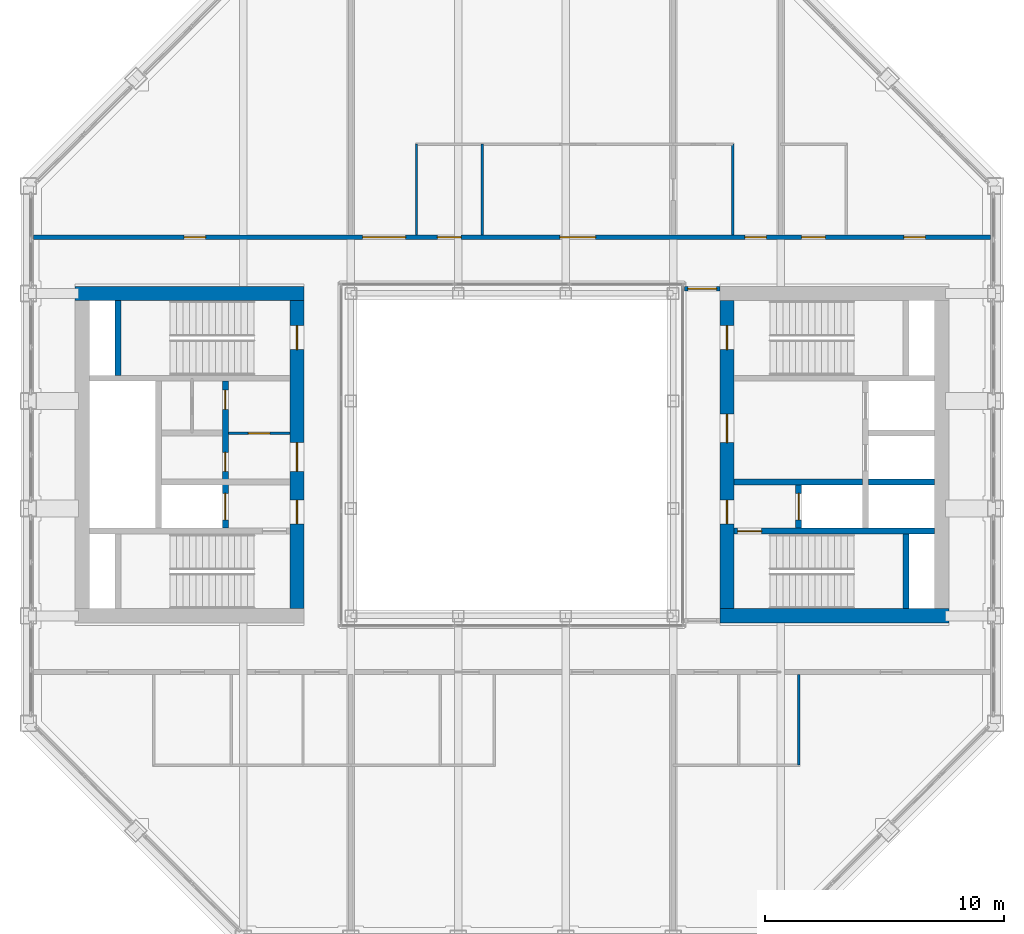
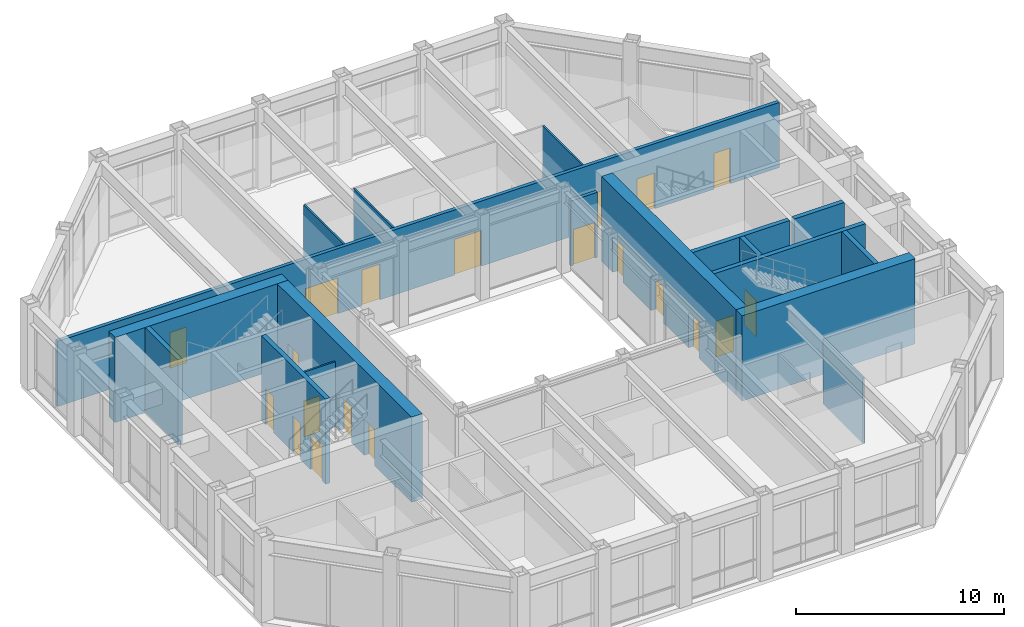
# One storey, part 12 of 15: 20 doors, 18 walls, 20 openings.
"""IFC4 building model written with IfcOpenShell, lengths in metres."""

from ifc_helpers import new_model, si_unit, direction, frame, frame_2d, origin, place, context, subcontext, project, spatial, rectangle, extrude, material, layer, layer_set, type_object, element, fill, save


model = new_model("IFC4")

# Units and contexts
model_context = context("Model", 3, precision=1e-05, world=origin(), true_north=direction((0.0, 1.0)))
body_context = subcontext(model_context, "Body", "Model", "MODEL_VIEW")
ifc_project = project(units=[si_unit("LENGTHUNIT", "METRE"), si_unit("AREAUNIT", "SQUARE_METRE"), si_unit("VOLUMEUNIT", "CUBIC_METRE"), si_unit("PLANEANGLEUNIT", "RADIAN"), si_unit("MASSUNIT", "GRAM", prefix="KILO")], contexts=[model_context])

# Site, building, storey
site_placement = place(None, origin())
site = spatial("IfcSite", under=ifc_project, at=site_placement, CompositionType="ELEMENT")
building_placement = place(site_placement, origin())
building = spatial("IfcBuilding", under=site, at=building_placement, Name="Msasa Ring Tower", CompositionType="ELEMENT")
storey_placement = place(building_placement, frame((0.0, 0.0, 257.050048828125)))
storey = spatial("IfcBuildingStorey", under=building, at=storey_placement, Name="L67", CompositionType="ELEMENT", Elevation=257.050048828125)

# Wall
ifc_material_1 = material(Name="Concrete C60/75", Category="concrete")
ifc_layer_1 = layer(ifc_material_1, 0.60009765625)
ifc_layer_set_1 = layer_set([ifc_layer_1], Name="CW3 CORE WALL 600")
wall_type_1 = type_object("IfcWallType", Name="CW3 CORE WALL 600", PredefinedType="SHEAR", material=ifc_layer_set_1)
wall_1_placement = place(storey_placement, frame((8.699951171875, -6.75, 0.0), z_axis=(0.0, 0.0, 1.0), x_axis=(1.0, 0.0, 0.0)))
element("IfcWall", 1, at=wall_1_placement, inside=storey, type_object=wall_type_1, Name="E core wall S L67", PredefinedType="SHEAR", context=body_context, shape_type="SweptSolid", body=[
    extrude(rectangle(XDim=9.60009765625, YDim=0.60009765625, at=frame_2d((4.800048828125, 0.0))), origin(), (0.0, 0.0, 1.0), 5.0),
])

# Wall, openings, doors
wall_2_placement = place(storey_placement, frame((9.0, -6.449951171875, 0.0), z_axis=(0.0, 0.0, 1.0), x_axis=(0.0, 1.0, 0.0)))
wall_2 = element("IfcWall", 2, at=wall_2_placement, inside=storey, type_object=wall_type_1, Name="E core wall W L67", PredefinedType="SHEAR", context=body_context, shape_type="SweptSolid", body=[
    extrude(rectangle(XDim=12.89990234375, YDim=0.60009765625, at=frame_2d((6.449951171875, 0.0))), origin(), (0.0, 0.0, 1.0), 5.0),
])
opening_1_placement = place(wall_2_placement, frame((3.550048828125, 0.0, 0.0)))
opening_1 = element("IfcOpeningElement", 3, at=opening_1_placement, cuts=wall_2, Name="Opening L67-021", PredefinedType="OPENING", context=body_context, shape_type="SweptSolid", body=[
    extrude(rectangle(XDim=1.0, YDim=2.10009765625, at=frame_2d((0.5, 1.050048828125))), frame((0.0, 0.31005859375, 0.0), z_axis=(0.0, -1.0, 0.0), x_axis=(1.0, 0.0, 0.0)), (0.0, 0.0, 1.0), 0.6201171875),
])
opening_2_placement = place(wall_2_placement, frame((6.949951171875, 0.0, 0.0)))
opening_2 = element("IfcOpeningElement", 4, at=opening_2_placement, cuts=wall_2, Name="Opening L67-016", PredefinedType="OPENING", context=body_context, shape_type="SweptSolid", body=[
    extrude(rectangle(XDim=1.199951171875, YDim=2.10009765625, at=frame_2d((0.60009765625, 1.050048828125))), frame((0.0, 0.31005859375, 0.0), z_axis=(0.0, -1.0, 0.0), x_axis=(1.0, 0.0, 0.0)), (0.0, 0.0, 1.0), 0.6201171875),
])
opening_3_placement = place(wall_2_placement, frame((10.85009765625, 0.0, 0.0)))
opening_3 = element("IfcOpeningElement", 5, at=opening_3_placement, cuts=wall_2, Name="Opening L67-013", PredefinedType="OPENING", context=body_context, shape_type="SweptSolid", body=[
    extrude(rectangle(XDim=1.0, YDim=2.10009765625, at=frame_2d((0.5, 1.050048828125))), frame((0.0, 0.31005859375, 0.0), z_axis=(0.0, -1.0, 0.0), x_axis=(1.0, 0.0, 0.0)), (0.0, 0.0, 1.0), 0.6201171875),
])
ifc_material_2 = material(Name="Timber door leaf in a steel frame", Category="steel")
door_type_1 = type_object("IfcDoorType", Name="D4 LOBBY DOOR 1000x2100", OperationType="SINGLE_SWING_LEFT", PredefinedType="DOOR", material=ifc_material_2)
door_1_placement = place(opening_1_placement, origin())
door_1 = element("IfcDoor", 6, at=door_1_placement, inside=storey, type_object=door_type_1, Name="Door L67-EFFL", OperationType="SINGLE_SWING_LEFT", OverallHeight=2.10009765625, OverallWidth=1.0, PredefinedType="DOOR", context=body_context, shape_type="SweptSolid", body=[
    extrude(rectangle(XDim=1.0, YDim=2.10009765625, at=frame_2d((0.5, 1.050048828125))), frame((0.0, 0.02490234375, 0.0), z_axis=(0.0, -1.0, 0.0), x_axis=(1.0, 0.0, 0.0)), (0.0, 0.0, 1.0), 0.050048828125),
])
fill(opening_1, door_1)
ifc_material_3 = material(Name="Timber door leaf in a steel frame", Category="steel")
door_type_2 = type_object("IfcDoorType", Name="D5 WIDE LOBBY DOOR 1200x2100", OperationType="SINGLE_SWING_LEFT", PredefinedType="DOOR", material=ifc_material_3)
door_2_placement = place(opening_2_placement, origin())
door_2 = element("IfcDoor", 7, at=door_2_placement, inside=storey, type_object=door_type_2, Name="Door L67-ELL", OperationType="SINGLE_SWING_RIGHT", OverallHeight=2.10009765625, OverallWidth=1.199951171875, PredefinedType="DOOR", context=body_context, shape_type="SweptSolid", body=[
    extrude(rectangle(XDim=1.199951171875, YDim=2.10009765625, at=frame_2d((0.60009765625, 1.050048828125))), frame((0.0, 0.02490234375, 0.0), z_axis=(0.0, -1.0, 0.0), x_axis=(1.0, 0.0, 0.0)), (0.0, 0.0, 1.0), 0.050048828125),
])
fill(opening_2, door_2)
ifc_material_4 = material(Name="Timber door leaf in a steel frame", Category="steel")
door_type_3 = type_object("IfcDoorType", Name="D6 STAIR DOOR 1000x2100", OperationType="SINGLE_SWING_LEFT", PredefinedType="DOOR", material=ifc_material_4)
door_3_placement = place(opening_3_placement, origin())
door_3 = element("IfcDoor", 8, at=door_3_placement, inside=storey, type_object=door_type_3, Name="Door L67-ESTB", OperationType="SINGLE_SWING_RIGHT", OverallHeight=2.10009765625, OverallWidth=1.0, PredefinedType="DOOR", context=body_context, shape_type="SweptSolid", body=[
    extrude(rectangle(XDim=1.0, YDim=2.10009765625, at=frame_2d((0.5, 1.050048828125))), frame((0.0, 0.02490234375, 0.0), z_axis=(0.0, -1.0, 0.0), x_axis=(1.0, 0.0, 0.0)), (0.0, 0.0, 1.0), 0.050048828125),
])
fill(opening_3, door_3)

# Wall
wall_3_placement = place(storey_placement, frame((-8.699951171875, 6.75, 0.0), z_axis=(0.0, 0.0, 1.0), x_axis=(-1.0, 0.0, 0.0)))
element("IfcWall", 9, at=wall_3_placement, inside=storey, type_object=wall_type_1, Name="W core wall N L67", PredefinedType="SHEAR", context=body_context, shape_type="SweptSolid", body=[
    extrude(rectangle(XDim=9.60009765625, YDim=0.60009765625, at=frame_2d((4.800048828125, 0.0))), origin(), (0.0, 0.0, 1.0), 5.0),
])

# Wall, openings, doors
wall_4_placement = place(storey_placement, frame((-9.0, -6.449951171875, 0.0), z_axis=(0.0, 0.0, 1.0), x_axis=(0.0, 1.0, 0.0)))
wall_4 = element("IfcWall", 10, at=wall_4_placement, inside=storey, type_object=wall_type_1, Name="W core wall W L67", PredefinedType="SHEAR", context=body_context, shape_type="SweptSolid", body=[
    extrude(rectangle(XDim=12.89990234375, YDim=0.60009765625, at=frame_2d((6.449951171875, 0.0))), origin(), (0.0, 0.0, 1.0), 5.0),
])
opening_4_placement = place(wall_4_placement, frame((3.550048828125, 0.0, 0.0)))
opening_4 = element("IfcOpeningElement", 11, at=opening_4_placement, cuts=wall_4, Name="Opening L67-020", PredefinedType="OPENING", context=body_context, shape_type="SweptSolid", body=[
    extrude(rectangle(XDim=1.0, YDim=2.10009765625, at=frame_2d((0.5, 1.050048828125))), frame((0.0, 0.31005859375, 0.0), z_axis=(0.0, -1.0, 0.0), x_axis=(1.0, 0.0, 0.0)), (0.0, 0.0, 1.0), 0.6201171875),
])
opening_5_placement = place(wall_4_placement, frame((5.75, 0.0, 0.0)))
opening_5 = element("IfcOpeningElement", 12, at=opening_5_placement, cuts=wall_4, Name="Opening L67-018", PredefinedType="OPENING", context=body_context, shape_type="SweptSolid", body=[
    extrude(rectangle(XDim=1.199951171875, YDim=2.10009765625, at=frame_2d((0.60009765625, 1.050048828125))), frame((0.0, 0.31005859375, 0.0), z_axis=(0.0, -1.0, 0.0), x_axis=(1.0, 0.0, 0.0)), (0.0, 0.0, 1.0), 0.6201171875),
])
opening_6_placement = place(wall_4_placement, frame((10.85009765625, 0.0, 0.0)))
opening_6 = element("IfcOpeningElement", 13, at=opening_6_placement, cuts=wall_4, Name="Opening L67-012", PredefinedType="OPENING", context=body_context, shape_type="SweptSolid", body=[
    extrude(rectangle(XDim=1.0, YDim=2.10009765625, at=frame_2d((0.5, 1.050048828125))), frame((0.0, 0.31005859375, 0.0), z_axis=(0.0, -1.0, 0.0), x_axis=(1.0, 0.0, 0.0)), (0.0, 0.0, 1.0), 0.6201171875),
])
door_4_placement = place(opening_4_placement, origin())
door_4 = element("IfcDoor", 14, at=door_4_placement, inside=storey, type_object=door_type_1, Name="Door L67-WFFL", OperationType="SINGLE_SWING_LEFT", OverallHeight=2.10009765625, OverallWidth=1.0, PredefinedType="DOOR", context=body_context, shape_type="SweptSolid", body=[
    extrude(rectangle(XDim=1.0, YDim=2.10009765625, at=frame_2d((0.5, 1.050048828125))), frame((0.0, 0.02490234375, 0.0), z_axis=(0.0, -1.0, 0.0), x_axis=(1.0, 0.0, 0.0)), (0.0, 0.0, 1.0), 0.050048828125),
])
fill(opening_4, door_4)
door_5_placement = place(opening_5_placement, origin())
door_5 = element("IfcDoor", 15, at=door_5_placement, inside=storey, type_object=door_type_2, Name="Door L67-WLL", OperationType="SINGLE_SWING_LEFT", OverallHeight=2.10009765625, OverallWidth=1.199951171875, PredefinedType="DOOR", context=body_context, shape_type="SweptSolid", body=[
    extrude(rectangle(XDim=1.199951171875, YDim=2.10009765625, at=frame_2d((0.60009765625, 1.050048828125))), frame((0.0, 0.02490234375, 0.0), z_axis=(0.0, -1.0, 0.0), x_axis=(1.0, 0.0, 0.0)), (0.0, 0.0, 1.0), 0.050048828125),
])
fill(opening_5, door_5)
door_6_placement = place(opening_6_placement, origin())
door_6 = element("IfcDoor", 16, at=door_6_placement, inside=storey, type_object=door_type_3, Name="Door L67-WSTB", OperationType="SINGLE_SWING_RIGHT", OverallHeight=2.10009765625, OverallWidth=1.0, PredefinedType="DOOR", context=body_context, shape_type="SweptSolid", body=[
    extrude(rectangle(XDim=1.0, YDim=2.10009765625, at=frame_2d((0.5, 1.050048828125))), frame((0.0, 0.02490234375, 0.0), z_axis=(0.0, -1.0, 0.0), x_axis=(1.0, 0.0, 0.0)), (0.0, 0.0, 1.0), 0.050048828125),
])
fill(opening_6, door_6)

# Wall, opening, door
ifc_material_5 = material(Name="Concrete C60/75", Category="concrete")
ifc_layer_2 = layer(ifc_material_5, 0.25)
ifc_layer_set_2 = layer_set([ifc_layer_2], Name="CW4 CORE INNER WALL 250")
wall_type_2 = type_object("IfcWallType", Name="CW4 CORE INNER WALL 250", PredefinedType="SHEAR", material=ifc_layer_set_2)
wall_5_placement = place(storey_placement, frame((9.300048828125, -3.199951171875, 0.0), z_axis=(0.0, 0.0, 1.0), x_axis=(1.0, 0.0, 0.0)))
wall_5 = element("IfcWall", 17, at=wall_5_placement, inside=storey, type_object=wall_type_2, Name="E core wall STAIRA L67", PredefinedType="SHEAR", context=body_context, shape_type="SweptSolid", body=[
    extrude(rectangle(XDim=8.39990234375, YDim=0.25, at=frame_2d((4.199951171875, 0.0))), origin(), (0.0, 0.0, 1.0), 5.0),
])
opening_7_placement = place(wall_5_placement, frame((0.14990234375, 0.0, 0.0)))
opening_7 = element("IfcOpeningElement", 18, at=opening_7_placement, cuts=wall_5, Name="Opening L67-023", PredefinedType="OPENING", context=body_context, shape_type="SweptSolid", body=[
    extrude(rectangle(XDim=1.0, YDim=2.10009765625, at=frame_2d((0.5, 1.050048828125))), frame((0.0, 0.135009765625, 0.0), z_axis=(0.0, -1.0, 0.0), x_axis=(1.0, 0.0, 0.0)), (0.0, 0.0, 1.0), 0.27001953125),
])
door_7_placement = place(opening_7_placement, origin())
door_7 = element("IfcDoor", 19, at=door_7_placement, inside=storey, type_object=door_type_3, Name="Door L67-ESTA", OperationType="SINGLE_SWING_LEFT", OverallHeight=2.10009765625, OverallWidth=1.0, PredefinedType="DOOR", context=body_context, shape_type="SweptSolid", body=[
    extrude(rectangle(XDim=1.0, YDim=2.10009765625, at=frame_2d((0.5, 1.050048828125))), frame((0.0, 0.02490234375, 0.0), z_axis=(0.0, -1.0, 0.0), x_axis=(1.0, 0.0, 0.0)), (0.0, 0.0, 1.0), 0.050048828125),
])
fill(opening_7, door_7)

# Walls
wall_6_placement = place(storey_placement, frame((16.5, -6.449951171875, 0.0), z_axis=(0.0, 0.0, 1.0), x_axis=(0.0, 1.0, 0.0)))
element("IfcWall", 20, at=wall_6_placement, inside=storey, type_object=wall_type_2, Name="E core wall RISERA L67", PredefinedType="SHEAR", context=body_context, shape_type="SweptSolid", body=[
    extrude(rectangle(XDim=3.125, YDim=0.25, at=frame_2d((1.5625, 0.0))), origin(), (0.0, 0.0, 1.0), 5.0),
])
wall_7_placement = place(storey_placement, frame((9.300048828125, -1.14990234375, 0.0), z_axis=(0.0, 0.0, 1.0), x_axis=(1.0, 0.0, 0.0)))
element("IfcWall", 21, at=wall_7_placement, inside=storey, type_object=wall_type_2, Name="E core wall FFL L67", PredefinedType="SHEAR", context=body_context, shape_type="SweptSolid", body=[
    extrude(rectangle(XDim=5.375, YDim=0.25, at=frame_2d((2.6875, 0.0))), origin(), (0.0, 0.0, 1.0), 5.0),
])

# Wall, opening, door
wall_8_placement = place(storey_placement, frame((12.0, -3.074951171875, 0.0), z_axis=(0.0, 0.0, 1.0), x_axis=(0.0, 1.0, 0.0)))
wall_8 = element("IfcWall", 22, at=wall_8_placement, inside=storey, type_object=wall_type_2, Name="E core wall LOBBY L67", PredefinedType="SHEAR", context=body_context, shape_type="SweptSolid", body=[
    extrude(rectangle(XDim=1.800048828125, YDim=0.25, at=frame_2d((0.89990234375, 0.0))), origin(), (0.0, 0.0, 1.0), 5.0),
])
opening_8_placement = place(wall_8_placement, frame((0.35009765625, 0.0, 0.0)))
opening_8 = element("IfcOpeningElement", 23, at=opening_8_placement, cuts=wall_8, Name="Opening LD1", PredefinedType="OPENING", context=body_context, shape_type="SweptSolid", body=[
    extrude(rectangle(XDim=1.10009765625, YDim=2.10009765625, at=frame_2d((0.550048828125, 1.050048828125))), frame((0.0, 0.135009765625, 0.0), z_axis=(0.0, -1.0, 0.0), x_axis=(1.0, 0.0, 0.0)), (0.0, 0.0, 1.0), 0.27001953125),
])
ifc_material_6 = material(Name="Stainless steel lift landing door", Category="steel")
door_type_4 = type_object("IfcDoorType", Name="LD1 LIFT LANDING DOOR 1100x2100", OperationType="DOUBLE_DOOR_SLIDING", PredefinedType="DOOR", material=ifc_material_6)
door_8_placement = place(opening_8_placement, origin())
door_8 = element("IfcDoor", 24, at=door_8_placement, inside=storey, type_object=door_type_4, Name="Lift landing door FL-E L67", OperationType="DOUBLE_DOOR_SLIDING", OverallHeight=2.10009765625, OverallWidth=1.10009765625, PredefinedType="DOOR", context=body_context, shape_type="SweptSolid", body=[
    extrude(rectangle(XDim=1.10009765625, YDim=2.10009765625, at=frame_2d((0.550048828125, 1.050048828125))), frame((0.0, 0.02490234375, 0.0), z_axis=(0.0, -1.0, 0.0), x_axis=(1.0, 0.0, 0.0)), (0.0, 0.0, 1.0), 0.050048828125),
])
fill(opening_8, door_8)

# Walls
wall_9_placement = place(storey_placement, frame((14.925048828125, -1.14990234375, 0.0), z_axis=(0.0, 0.0, 1.0), x_axis=(1.0, 0.0, 0.0)))
element("IfcWall", 25, at=wall_9_placement, inside=storey, type_object=wall_type_2, Name="E core wall HSEP L67", PredefinedType="SHEAR", context=body_context, shape_type="SweptSolid", body=[
    extrude(rectangle(XDim=2.77490234375, YDim=0.25, at=frame_2d((1.387451171875, 0.0))), origin(), (0.0, 0.0, 1.0), 5.0),
])
wall_10_placement = place(storey_placement, frame((-16.5, 3.324951171875, 0.0), z_axis=(0.0, 0.0, 1.0), x_axis=(0.0, 1.0, 0.0)))
element("IfcWall", 26, at=wall_10_placement, inside=storey, type_object=wall_type_2, Name="W core wall RISERB L67", PredefinedType="SHEAR", context=body_context, shape_type="SweptSolid", body=[
    extrude(rectangle(XDim=3.125, YDim=0.25, at=frame_2d((1.5625, 0.0))), origin(), (0.0, 0.0, 1.0), 5.0),
])

# Wall, openings, doors
wall_11_placement = place(storey_placement, frame((-12.0, -3.074951171875, 0.0), z_axis=(0.0, 0.0, 1.0), x_axis=(0.0, 1.0, 0.0)))
wall_11 = element("IfcWall", 27, at=wall_11_placement, inside=storey, type_object=wall_type_2, Name="W core wall LOBBY L67", PredefinedType="SHEAR", context=body_context, shape_type="SweptSolid", body=[
    extrude(rectangle(XDim=6.14990234375, YDim=0.25, at=frame_2d((3.074951171875, 0.0))), origin(), (0.0, 0.0, 1.0), 5.0),
])
opening_9_placement = place(wall_11_placement, frame((2.375, 0.0, 0.0)))
opening_9 = element("IfcOpeningElement", 28, at=opening_9_placement, cuts=wall_11, Name="Opening L67-019", PredefinedType="OPENING", context=body_context, shape_type="SweptSolid", body=[
    extrude(rectangle(XDim=0.800048828125, YDim=2.10009765625, at=frame_2d((0.39990234375, 1.050048828125))), frame((0.0, 0.135009765625, 0.0), z_axis=(0.0, -1.0, 0.0), x_axis=(1.0, 0.0, 0.0)), (0.0, 0.0, 1.0), 0.27001953125),
])
opening_10_placement = place(wall_11_placement, frame((4.97509765625, 0.0, 0.0)))
opening_10 = element("IfcOpeningElement", 29, at=opening_10_placement, cuts=wall_11, Name="Opening L67-014", PredefinedType="OPENING", context=body_context, shape_type="SweptSolid", body=[
    extrude(rectangle(XDim=0.800048828125, YDim=2.10009765625, at=frame_2d((0.39990234375, 1.050048828125))), frame((0.0, 0.135009765625, 0.0), z_axis=(0.0, -1.0, 0.0), x_axis=(1.0, 0.0, 0.0)), (0.0, 0.0, 1.0), 0.27001953125),
])
opening_11_placement = place(wall_11_placement, frame((0.35009765625, 0.0, 0.0)))
opening_11 = element("IfcOpeningElement", 30, at=opening_11_placement, cuts=wall_11, Name="Opening LD1", PredefinedType="OPENING", context=body_context, shape_type="SweptSolid", body=[
    extrude(rectangle(XDim=1.10009765625, YDim=2.10009765625, at=frame_2d((0.550048828125, 1.050048828125))), frame((0.0, 0.135009765625, 0.0), z_axis=(0.0, -1.0, 0.0), x_axis=(1.0, 0.0, 0.0)), (0.0, 0.0, 1.0), 0.27001953125),
])
ifc_material_7 = material(Name="Timber door leaf in a steel frame", Category="steel")
door_type_5 = type_object("IfcDoorType", Name="D9 NARROW SERVICE DOOR 800x2100", OperationType="SINGLE_SWING_LEFT", PredefinedType="DOOR", material=ifc_material_7)
door_9_placement = place(opening_9_placement, origin())
door_9 = element("IfcDoor", 31, at=door_9_placement, inside=storey, type_object=door_type_5, Name="Door L67-WR1", OperationType="SINGLE_SWING_LEFT", OverallHeight=2.10009765625, OverallWidth=0.800048828125, PredefinedType="DOOR", context=body_context, shape_type="SweptSolid", body=[
    extrude(rectangle(XDim=0.800048828125, YDim=2.10009765625, at=frame_2d((0.39990234375, 1.050048828125))), frame((0.0, 0.02490234375, 0.0), z_axis=(0.0, -1.0, 0.0), x_axis=(1.0, 0.0, 0.0)), (0.0, 0.0, 1.0), 0.050048828125),
])
fill(opening_9, door_9)
door_10_placement = place(opening_10_placement, origin())
door_10 = element("IfcDoor", 32, at=door_10_placement, inside=storey, type_object=door_type_5, Name="Door L67-WR2", OperationType="SINGLE_SWING_RIGHT", OverallHeight=2.10009765625, OverallWidth=0.800048828125, PredefinedType="DOOR", context=body_context, shape_type="SweptSolid", body=[
    extrude(rectangle(XDim=0.800048828125, YDim=2.10009765625, at=frame_2d((0.39990234375, 1.050048828125))), frame((0.0, 0.02490234375, 0.0), z_axis=(0.0, -1.0, 0.0), x_axis=(1.0, 0.0, 0.0)), (0.0, 0.0, 1.0), 0.050048828125),
])
fill(opening_10, door_10)
door_11_placement = place(opening_11_placement, origin())
door_11 = element("IfcDoor", 33, at=door_11_placement, inside=storey, type_object=door_type_4, Name="Lift landing door FL-W L67", OperationType="DOUBLE_DOOR_SLIDING", OverallHeight=2.10009765625, OverallWidth=1.10009765625, PredefinedType="DOOR", context=body_context, shape_type="SweptSolid", body=[
    extrude(rectangle(XDim=1.10009765625, YDim=2.10009765625, at=frame_2d((0.550048828125, 1.050048828125))), frame((0.0, 0.02490234375, 0.0), z_axis=(0.0, -1.0, 0.0), x_axis=(1.0, 0.0, 0.0)), (0.0, 0.0, 1.0), 0.050048828125),
])
fill(opening_11, door_11)

# Wall, opening, door
ifc_material_8 = material(Name="Concrete blockwork", Category="masonry")
ifc_layer_3 = layer(ifc_material_8, 0.199951171875)
ifc_layer_set_3 = layer_set([ifc_layer_3], Name="PT1 CORRIDOR WALL 200")
wall_type_3 = type_object("IfcWallType", Name="PT1 CORRIDOR WALL 200", PredefinedType="PARTITIONING", material=ifc_layer_set_3)
wall_12_placement = place(storey_placement, frame((7.22998046875, 6.949951171875, 0.0), z_axis=(0.0, 0.0, 1.0), x_axis=(1.0, 0.0, 0.0)))
wall_12 = element("IfcWall", 34, at=wall_12_placement, inside=storey, type_object=wall_type_3, Name="Corridor wall L67-SDEN", PredefinedType="PARTITIONING", context=body_context, shape_type="SweptSolid", body=[
    extrude(rectangle(XDim=1.469970703125, YDim=0.199951171875, at=frame_2d((0.73486328125, 0.0))), origin(), (0.0, 0.0, 1.0), 3.8232421875),
])
opening_12_placement = place(wall_12_placement, frame((0.135009765625, 0.0, 0.0)))
opening_12 = element("IfcOpeningElement", 35, at=opening_12_placement, cuts=wall_12, Name="Opening L67-011", PredefinedType="OPENING", context=body_context, shape_type="SweptSolid", body=[
    extrude(rectangle(XDim=1.199951171875, YDim=2.10009765625, at=frame_2d((0.60009765625, 1.050048828125))), frame((0.0, 0.10986328125, 0.0), z_axis=(0.0, -1.0, 0.0), x_axis=(1.0, 0.0, 0.0)), (0.0, 0.0, 1.0), 0.219970703125),
])
ifc_material_9 = material(Name="Timber door leaf in a steel frame", Category="steel")
door_type_6 = type_object("IfcDoorType", Name="D25 CORRIDOR PAIR OF SMOKE DOORS 1200x2100", OperationType="DOUBLE_DOOR_DOUBLE_SWING", PredefinedType="DOOR", material=ifc_material_9)
door_12_placement = place(opening_12_placement, origin())
door_12 = element("IfcDoor", 36, at=door_12_placement, inside=storey, type_object=door_type_6, Name="Door L67-SDEN", OperationType="DOUBLE_DOOR_DOUBLE_SWING", OverallHeight=2.10009765625, OverallWidth=1.199951171875, PredefinedType="DOOR", context=body_context, shape_type="SweptSolid", body=[
    extrude(rectangle(XDim=1.199951171875, YDim=2.10009765625, at=frame_2d((0.60009765625, 1.050048828125))), frame((0.0, 0.02490234375, 0.0), z_axis=(0.0, -1.0, 0.0), x_axis=(1.0, 0.0, 0.0)), (0.0, 0.0, 1.0), 0.050048828125),
])
fill(opening_12, door_12)

# Wall, openings, doors
wall_13_placement = place(storey_placement, frame((-20.02490234375, 9.10009765625, 0.0), z_axis=(0.0, 0.0, 1.0), x_axis=(1.0, 0.0, 0.0)))
wall_13 = element("IfcWall", 37, at=wall_13_placement, inside=storey, type_object=wall_type_3, Name="Corridor wall L67-CORRN0", PredefinedType="PARTITIONING", context=body_context, shape_type="SweptSolid", body=[
    extrude(rectangle(XDim=40.0498046875, YDim=0.199951171875, at=frame_2d((20.02490234375, 0.0))), origin(), (0.0, 0.0, 1.0), 3.8232421875),
])
opening_13_placement = place(wall_13_placement, frame((6.300048828125, 0.0, 0.0)))
opening_13 = element("IfcOpeningElement", 38, at=opening_13_placement, cuts=wall_13, Name="Opening L67-004", PredefinedType="OPENING", context=body_context, shape_type="SweptSolid", body=[
    extrude(rectangle(XDim=0.89990234375, YDim=2.10009765625, at=frame_2d((0.449951171875, 1.050048828125))), frame((0.0, 0.10986328125, 0.0), z_axis=(0.0, -1.0, 0.0), x_axis=(1.0, 0.0, 0.0)), (0.0, 0.0, 1.0), 0.219970703125),
])
opening_14_placement = place(wall_13_placement, frame((13.771728515625, 0.0, 0.0)))
opening_14 = element("IfcOpeningElement", 39, at=opening_14_placement, cuts=wall_13, Name="Opening L67-005", PredefinedType="OPENING", context=body_context, shape_type="SweptSolid", body=[
    extrude(rectangle(XDim=1.800048828125, YDim=2.10009765625, at=frame_2d((0.89990234375, 1.050048828125))), frame((0.0, 0.10986328125, 0.0), z_axis=(0.0, -1.0, 0.0), x_axis=(1.0, 0.0, 0.0)), (0.0, 0.0, 1.0), 0.219970703125),
])
opening_15_placement = place(wall_13_placement, frame((16.89990234375, 0.0, 0.0)))
opening_15 = element("IfcOpeningElement", 40, at=opening_15_placement, cuts=wall_13, Name="Opening L67-006", PredefinedType="OPENING", context=body_context, shape_type="SweptSolid", body=[
    extrude(rectangle(XDim=1.0, YDim=2.10009765625, at=frame_2d((0.5, 1.050048828125))), frame((0.0, 0.10986328125, 0.0), z_axis=(0.0, -1.0, 0.0), x_axis=(1.0, 0.0, 0.0)), (0.0, 0.0, 1.0), 0.219970703125),
])
opening_16_placement = place(wall_13_placement, frame((22.02490234375, 0.0, 0.0)))
opening_16 = element("IfcOpeningElement", 41, at=opening_16_placement, cuts=wall_13, Name="Opening L67-007", PredefinedType="OPENING", context=body_context, shape_type="SweptSolid", body=[
    extrude(rectangle(XDim=1.5, YDim=2.10009765625, at=frame_2d((0.75, 1.050048828125))), frame((0.0, 0.10986328125, 0.0), z_axis=(0.0, -1.0, 0.0), x_axis=(1.0, 0.0, 0.0)), (0.0, 0.0, 1.0), 0.219970703125),
])
opening_17_placement = place(wall_13_placement, frame((29.779052734375, 0.0, 0.0)))
opening_17 = element("IfcOpeningElement", 42, at=opening_17_placement, cuts=wall_13, Name="Opening L67-008", PredefinedType="OPENING", context=body_context, shape_type="SweptSolid", body=[
    extrude(rectangle(XDim=0.89990234375, YDim=2.10009765625, at=frame_2d((0.449951171875, 1.050048828125))), frame((0.0, 0.10986328125, 0.0), z_axis=(0.0, -1.0, 0.0), x_axis=(1.0, 0.0, 0.0)), (0.0, 0.0, 1.0), 0.219970703125),
])
opening_18_placement = place(wall_13_placement, frame((36.43603515625, 0.0, 0.0)))
opening_18 = element("IfcOpeningElement", 43, at=opening_18_placement, cuts=wall_13, Name="Opening L67-010", PredefinedType="OPENING", context=body_context, shape_type="SweptSolid", body=[
    extrude(rectangle(XDim=0.89990234375, YDim=2.10009765625, at=frame_2d((0.449951171875, 1.050048828125))), frame((0.0, 0.10986328125, 0.0), z_axis=(0.0, -1.0, 0.0), x_axis=(1.0, 0.0, 0.0)), (0.0, 0.0, 1.0), 0.219970703125),
])
opening_19_placement = place(wall_13_placement, frame((32.14990234375, 0.0, 0.0)))
opening_19 = element("IfcOpeningElement", 44, at=opening_19_placement, cuts=wall_13, Name="Opening L67-009", PredefinedType="OPENING", context=body_context, shape_type="SweptSolid", body=[
    extrude(rectangle(XDim=1.0, YDim=2.10009765625, at=frame_2d((0.5, 1.050048828125))), frame((0.0, 0.10986328125, 0.0), z_axis=(0.0, -1.0, 0.0), x_axis=(1.0, 0.0, 0.0)), (0.0, 0.0, 1.0), 0.219970703125),
])
ifc_material_10 = material(Name="Timber door leaf in a steel frame", Category="steel")
door_type_7 = type_object("IfcDoorType", Name="D1 SINGLE DOOR TO CORRIDOR 900x2100", OperationType="SINGLE_SWING_LEFT", PredefinedType="DOOR", material=ifc_material_10)
door_13_placement = place(opening_13_placement, origin())
door_13 = element("IfcDoor", 45, at=door_13_placement, inside=storey, type_object=door_type_7, Name="Door L67-SBN0F0", OperationType="SINGLE_SWING_LEFT", OverallHeight=2.10009765625, OverallWidth=0.89990234375, PredefinedType="DOOR", context=body_context, shape_type="SweptSolid", body=[
    extrude(rectangle(XDim=0.89990234375, YDim=2.10009765625, at=frame_2d((0.449951171875, 1.050048828125))), frame((0.0, 0.02490234375, 0.0), z_axis=(0.0, -1.0, 0.0), x_axis=(1.0, 0.0, 0.0)), (0.0, 0.0, 1.0), 0.050048828125),
])
fill(opening_13, door_13)
door_14_placement = place(opening_17_placement, origin())
door_14 = element("IfcDoor", 46, at=door_14_placement, inside=storey, type_object=door_type_7, Name="Door L67-SBN2F0", OperationType="SINGLE_SWING_RIGHT", OverallHeight=2.10009765625, OverallWidth=0.89990234375, PredefinedType="DOOR", context=body_context, shape_type="SweptSolid", body=[
    extrude(rectangle(XDim=0.89990234375, YDim=2.10009765625, at=frame_2d((0.449951171875, 1.050048828125))), frame((0.0, 0.02490234375, 0.0), z_axis=(0.0, -1.0, 0.0), x_axis=(1.0, 0.0, 0.0)), (0.0, 0.0, 1.0), 0.050048828125),
])
fill(opening_17, door_14)
door_15_placement = place(opening_18_placement, origin())
door_15 = element("IfcDoor", 47, at=door_15_placement, inside=storey, type_object=door_type_7, Name="Door L67-SBN3F0", OperationType="SINGLE_SWING_RIGHT", OverallHeight=2.10009765625, OverallWidth=0.89990234375, PredefinedType="DOOR", context=body_context, shape_type="SweptSolid", body=[
    extrude(rectangle(XDim=0.89990234375, YDim=2.10009765625, at=frame_2d((0.449951171875, 1.050048828125))), frame((0.0, 0.02490234375, 0.0), z_axis=(0.0, -1.0, 0.0), x_axis=(1.0, 0.0, 0.0)), (0.0, 0.0, 1.0), 0.050048828125),
])
fill(opening_18, door_15)
ifc_material_11 = material(Name="Timber door leaf in a steel frame", Category="steel")
door_type_8 = type_object("IfcDoorType", Name="D10 STORE DOOR 1000x2100", OperationType="SINGLE_SWING_LEFT", PredefinedType="DOOR", material=ifc_material_11)
door_16_placement = place(opening_19_placement, origin())
door_16 = element("IfcDoor", 48, at=door_16_placement, inside=storey, type_object=door_type_8, Name="Door L67-SBN3B0", OperationType="SINGLE_SWING_RIGHT", OverallHeight=2.10009765625, OverallWidth=1.0, PredefinedType="DOOR", context=body_context, shape_type="SweptSolid", body=[
    extrude(rectangle(XDim=1.0, YDim=2.10009765625, at=frame_2d((0.5, 1.050048828125))), frame((0.0, 0.02490234375, 0.0), z_axis=(0.0, -1.0, 0.0), x_axis=(1.0, 0.0, 0.0)), (0.0, 0.0, 1.0), 0.050048828125),
])
fill(opening_19, door_16)
ifc_material_12 = material(Name="Timber door leaf in a steel frame", Category="steel")
door_type_9 = type_object("IfcDoorType", Name="D18 RESTAURANT PAIR OF DOORS 1800x2100", OperationType="SINGLE_SWING_LEFT", PredefinedType="DOOR", material=ifc_material_12)
door_17_placement = place(opening_14_placement, origin())
door_17 = element("IfcDoor", 49, at=door_17_placement, inside=storey, type_object=door_type_9, Name="Door L67-SBN1F0", OperationType="SINGLE_SWING_LEFT", OverallHeight=2.10009765625, OverallWidth=1.800048828125, PredefinedType="DOOR", context=body_context, shape_type="SweptSolid", body=[
    extrude(rectangle(XDim=1.800048828125, YDim=2.10009765625, at=frame_2d((0.89990234375, 1.050048828125))), frame((0.0, 0.02490234375, 0.0), z_axis=(0.0, -1.0, 0.0), x_axis=(1.0, 0.0, 0.0)), (0.0, 0.0, 1.0), 0.050048828125),
])
fill(opening_14, door_17)
ifc_material_13 = material(Name="Timber door leaf in a steel frame", Category="steel")
door_type_10 = type_object("IfcDoorType", Name="D19 KITCHEN DOUBLE SWING DOOR 1500x2100", OperationType="SINGLE_SWING_LEFT", PredefinedType="DOOR", material=ifc_material_13)
door_18_placement = place(opening_16_placement, origin())
door_18 = element("IfcDoor", 50, at=door_18_placement, inside=storey, type_object=door_type_10, Name="Door L67-SBN1B1C", OperationType="SINGLE_SWING_RIGHT", OverallHeight=2.10009765625, OverallWidth=1.5, PredefinedType="DOOR", context=body_context, shape_type="SweptSolid", body=[
    extrude(rectangle(XDim=1.5, YDim=2.10009765625, at=frame_2d((0.75, 1.050048828125))), frame((0.0, 0.02490234375, 0.0), z_axis=(0.0, -1.0, 0.0), x_axis=(1.0, 0.0, 0.0)), (0.0, 0.0, 1.0), 0.050048828125),
])
fill(opening_16, door_18)
ifc_material_14 = material(Name="Timber door leaf in a steel frame", Category="steel")
door_type_11 = type_object("IfcDoorType", Name="D40 SINGLE DOOR TO CORRIDOR 1000x2100", OperationType="SINGLE_SWING_LEFT", PredefinedType="DOOR", material=ifc_material_14)
door_19_placement = place(opening_15_placement, origin())
door_19 = element("IfcDoor", 51, at=door_19_placement, inside=storey, type_object=door_type_11, Name="Door L67-SBN1B0", OperationType="SINGLE_SWING_LEFT", OverallHeight=2.10009765625, OverallWidth=1.0, PredefinedType="DOOR", context=body_context, shape_type="SweptSolid", body=[
    extrude(rectangle(XDim=1.0, YDim=2.10009765625, at=frame_2d((0.5, 1.050048828125))), frame((0.0, 0.02490234375, 0.0), z_axis=(0.0, -1.0, 0.0), x_axis=(1.0, 0.0, 0.0)), (0.0, 0.0, 1.0), 0.050048828125),
])
fill(opening_15, door_19)

# Walls
ifc_material_15 = material(Name="Gypsum board on steel studs", Category="steel")
ifc_layer_4 = layer(ifc_material_15, 0.10009765625)
ifc_layer_set_4 = layer_set([ifc_layer_4], Name="PT2 STUD PARTITION 100")
wall_type_4 = type_object("IfcWallType", Name="PT2 STUD PARTITION 100", PredefinedType="PARTITIONING", material=ifc_layer_set_4)
for number, where, z_axis, x_axis, name in (
    (52, (-4.0, 9.199951171875, 0.0), (0.0, 0.0, 1.0), (0.0, 1.0, 0.0), "Partition L67-SBN1Y0"),
    (53, (-1.25, 9.199951171875, 0.0), (0.0, 0.0, 1.0), (0.0, 1.0, 0.0), "Partition L67-SBN1Y1"),
    (54, (9.25, 9.199951171875, 0.0), (0.0, 0.0, 1.0), (0.0, 1.0, 0.0), "Partition L67-SBN2Y0"),
    (55, (12.0, -13.0, 0.0), (0.0, 0.0, 1.0), (0.0, 1.0, 0.0), "Partition L67-SBS2Y1"),
):
    element("IfcWall", number, at=place(storey_placement, frame(where, z_axis=z_axis, x_axis=x_axis)), inside=storey, type_object=wall_type_4, Name=name, PredefinedType="PARTITIONING", context=body_context, shape_type="SweptSolid", body=[
        extrude(rectangle(XDim=3.800048828125, YDim=0.10009765625, at=frame_2d((1.89990234375, 0.0))), origin(), (0.0, 0.0, 1.0), 3.8232421875),
    ])

# Wall, opening, door
wall_14_placement = place(storey_placement, frame((-11.875, 0.89990234375, 0.0), z_axis=(0.0, 0.0, 1.0), x_axis=(1.0, 0.0, 0.0)))
wall_14 = element("IfcWall", 56, at=wall_14_placement, inside=storey, type_object=wall_type_4, Name="Partition L67-WCP", PredefinedType="PARTITIONING", context=body_context, shape_type="SweptSolid", body=[
    extrude(rectangle(XDim=2.574951171875, YDim=0.10009765625, at=frame_2d((1.28759765625, 0.0))), origin(), (0.0, 0.0, 1.0), 3.8232421875),
])
opening_20_placement = place(wall_14_placement, frame((0.83740234375, 0.0, 0.0)))
opening_20 = element("IfcOpeningElement", 57, at=opening_20_placement, cuts=wall_14, Name="Opening L67-017", PredefinedType="OPENING", context=body_context, shape_type="SweptSolid", body=[
    extrude(rectangle(XDim=0.89990234375, YDim=2.10009765625, at=frame_2d((0.449951171875, 1.050048828125))), frame((0.0, 0.06005859375, 0.0), z_axis=(0.0, -1.0, 0.0), x_axis=(1.0, 0.0, 0.0)), (0.0, 0.0, 1.0), 0.1201171875),
])
ifc_material_16 = material(Name="Timber door leaf in a steel frame", Category="steel")
door_type_12 = type_object("IfcDoorType", Name="D22 INTERNAL HALL DOOR 900x2100", OperationType="SINGLE_SWING_LEFT", PredefinedType="DOOR", material=ifc_material_16)
door_20_placement = place(opening_20_placement, origin())
door_20 = element("IfcDoor", 58, at=door_20_placement, inside=storey, type_object=door_type_12, Name="Door L67-WCP", OperationType="SINGLE_SWING_LEFT", OverallHeight=2.10009765625, OverallWidth=0.89990234375, PredefinedType="DOOR", context=body_context, shape_type="SweptSolid", body=[
    extrude(rectangle(XDim=0.89990234375, YDim=2.10009765625, at=frame_2d((0.449951171875, 1.050048828125))), frame((0.0, 0.02490234375, 0.0), z_axis=(0.0, -1.0, 0.0), x_axis=(1.0, 0.0, 0.0)), (0.0, 0.0, 1.0), 0.050048828125),
])
fill(opening_20, door_20)

save(model, "model.ifc")
